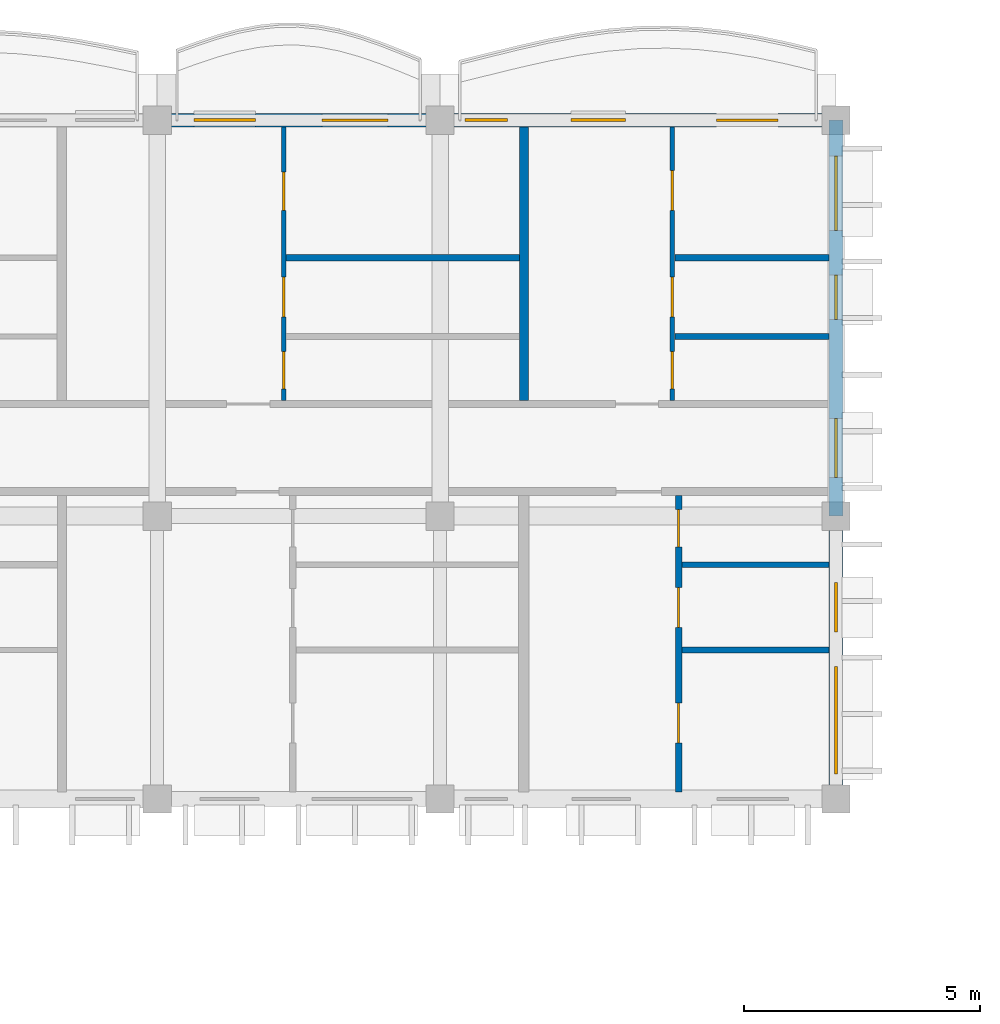
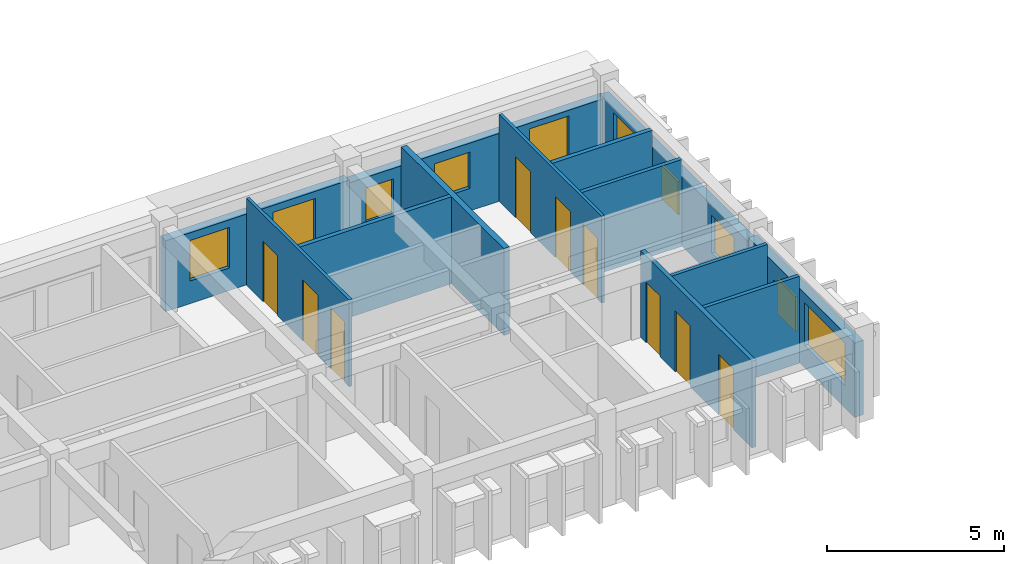
# One storey, part 21 of 59: 13 walls, 11 doors, 8 windows, 19 openings.
"""IFC4 building model written with IfcOpenShell, lengths in metres."""

from ifc_helpers import new_model, si_unit, direction, frame, frame_2d, origin, place, context, subcontext, project, spatial, rectangle, extrude, material, layer, layer_set, type_object, element, fill, save


model = new_model("IFC4")

# Units and contexts
model_context = context("Model", 3, precision=1e-05, world=origin(), true_north=direction((0.0, 1.0)))
body_context = subcontext(model_context, "Body", "Model", "MODEL_VIEW")
ifc_project = project(units=[si_unit("LENGTHUNIT", "METRE"), si_unit("AREAUNIT", "SQUARE_METRE"), si_unit("VOLUMEUNIT", "CUBIC_METRE"), si_unit("PLANEANGLEUNIT", "RADIAN"), si_unit("MASSUNIT", "GRAM", prefix="KILO"), si_unit("THERMODYNAMICTEMPERATUREUNIT", "KELVIN")], contexts=[model_context])

# Site, building, storey
site_placement = place(None, origin())
site = spatial("IfcSite", under=ifc_project, at=site_placement, CompositionType="ELEMENT")
building_placement = place(site_placement, origin())
building = spatial("IfcBuilding", under=site, at=building_placement, Name="Thalorik Housing Commons", CompositionType="ELEMENT")
storey_placement = place(building_placement, frame((0.0, 0.0, 27.89990234375)))
storey = spatial("IfcBuildingStorey", under=building, at=storey_placement, Name="L08", CompositionType="ELEMENT", Elevation=27.89990234375)

# Wall, openings, windows
ifc_material_1 = material(Name="White precast concrete C40/50", Category="concrete")
ifc_layer_1 = layer(ifc_material_1, 0.2900390625, Name="White precast concrete C40/50", Category="concrete")
ifc_layer_set_1 = layer_set([ifc_layer_1], Name="White precast concrete C40/50")
wall_type_1 = type_object("IfcWallType", Name="ARC-WAL-EXT-290", PredefinedType="STANDARD", material=ifc_layer_set_1)
wall_1_placement = place(storey_placement, frame((51.60009765625, 109.199951171875, 0.0), z_axis=(0.0, 0.0, 1.0), x_axis=(0.0, 1.0, 0.0)))
wall_1 = element("IfcWall", 1, at=wall_1_placement, inside=storey, type_object=wall_type_1, Name="L08 Exterior Wall WAL-EXT-L08-A-0217", PredefinedType="STANDARD", context=body_context, shape_type="SweptSolid", body=[
    extrude(rectangle(XDim=6.0, YDim=0.2900390625, at=frame_2d((3.0, 0.0))), origin(), (0.0, 0.0, 1.0), 2.5751953125),
])
opening_1_placement = place(wall_1_placement, frame((0.535400390625, 0.0, 0.780029296875)))
opening_1 = element("IfcOpeningElement", 2, at=opening_1_placement, cuts=wall_1, Name="Opening W-67", PredefinedType="OPENING", context=body_context, shape_type="SweptSolid", body=[
    extrude(rectangle(XDim=2.280029296875, YDim=1.4599609375, at=frame_2d((1.14013671875, 0.72998046875))), frame((0.0, 0.155029296875, 0.0), z_axis=(0.0, -1.0, 0.0), x_axis=(1.0, 0.0, 0.0)), (0.0, 0.0, 1.0), 0.31005859375),
])
opening_2_placement = place(wall_1_placement, frame((3.540283203125, 0.0, 0.780029296875)))
opening_2 = element("IfcOpeningElement", 3, at=opening_2_placement, cuts=wall_1, Name="Opening W-44", PredefinedType="OPENING", context=body_context, shape_type="SweptSolid", body=[
    extrude(rectangle(XDim=1.050048828125, YDim=1.199951171875, at=frame_2d((0.52490234375, 0.60009765625))), frame((0.0, 0.155029296875, 0.0), z_axis=(0.0, -1.0, 0.0), x_axis=(1.0, 0.0, 0.0)), (0.0, 0.0, 1.0), 0.31005859375),
])
ifc_material_2 = material(Name="Anodised aluminium and solar-control low-E glass", Category="aluminium")
window_type_1 = type_object("IfcWindowType", Name="ARC-WIN-44", PartitioningType="SINGLE_PANEL", PredefinedType="WINDOW", material=ifc_material_2)
window_1_placement = place(opening_2_placement, origin())
window_1 = element("IfcWindow", 4, at=window_1_placement, inside=storey, type_object=window_type_1, Name="L08 Facade Window 390", OverallHeight=1.199951171875, OverallWidth=1.050048828125, PartitioningType="SINGLE_PANEL", PredefinedType="WINDOW", context=body_context, shape_type="SweptSolid", body=[
    extrude(rectangle(XDim=1.050048828125, YDim=1.199951171875, at=frame_2d((0.52490234375, 0.60009765625))), frame((0.0, 0.030029296875, 0.0), z_axis=(0.0, -1.0, 0.0), x_axis=(1.0, 0.0, 0.0)), (0.0, 0.0, 1.0), 0.06005859375),
])
fill(opening_2, window_1)
window_type_2 = type_object("IfcWindowType", Name="ARC-WIN-67", PartitioningType="DOUBLE_PANEL_VERTICAL", PredefinedType="WINDOW", material=ifc_material_2)
window_2_placement = place(opening_1_placement, origin())
window_2 = element("IfcWindow", 5, at=window_2_placement, inside=storey, type_object=window_type_2, Name="L08 Facade Window 389", OverallHeight=1.4599609375, OverallWidth=2.280029296875, PartitioningType="DOUBLE_PANEL_VERTICAL", PredefinedType="WINDOW", context=body_context, shape_type="SweptSolid", body=[
    extrude(rectangle(XDim=2.280029296875, YDim=1.4599609375, at=frame_2d((1.14013671875, 0.72998046875))), frame((0.0, 0.030029296875, 0.0), z_axis=(0.0, -1.0, 0.0), x_axis=(1.0, 0.0, 0.0)), (0.0, 0.0, 1.0), 0.06005859375),
])
fill(opening_1, window_2)

wall_2_placement = place(storey_placement, frame((51.60009765625, 115.199951171875, 0.0), z_axis=(0.0, 0.0, 1.0), x_axis=(0.0, 1.0, 0.0)))
wall_2 = element("IfcWall", 6, at=wall_2_placement, inside=storey, type_object=wall_type_1, Name="L08 Exterior Wall WAL-EXT-L08-A-0218", PredefinedType="STANDARD", context=body_context, shape_type="SweptSolid", body=[
    extrude(rectangle(XDim=8.400146484375, YDim=0.2900390625, at=frame_2d((4.2001953125, 0.0))), origin(), (0.0, 0.0, 1.0), 2.425048828125),
])
opening_3_placement = place(wall_2_placement, frame((0.824951171875, 0.0, 0.780029296875)))
opening_3 = element("IfcOpeningElement", 7, at=opening_3_placement, cuts=wall_2, Name="Opening W-46", PredefinedType="OPENING", context=body_context, shape_type="SweptSolid", body=[
    extrude(rectangle(XDim=1.25, YDim=1.300048828125, at=frame_2d((0.625, 0.64990234375))), frame((0.0, 0.155029296875, 0.0), z_axis=(0.0, -1.0, 0.0), x_axis=(1.0, 0.0, 0.0)), (0.0, 0.0, 1.0), 0.31005859375),
])
opening_4_placement = place(wall_2_placement, frame((4.169921875, 0.0, 0.780029296875)))
opening_4 = element("IfcOpeningElement", 8, at=opening_4_placement, cuts=wall_2, Name="Opening W-43", PredefinedType="OPENING", context=body_context, shape_type="SweptSolid", body=[
    extrude(rectangle(XDim=0.949951171875, YDim=1.14990234375, at=frame_2d((0.47509765625, 0.574951171875))), frame((0.0, 0.155029296875, 0.0), z_axis=(0.0, -1.0, 0.0), x_axis=(1.0, 0.0, 0.0)), (0.0, 0.0, 1.0), 0.31005859375),
])
opening_5_placement = place(wall_2_placement, frame((6.0546875, 0.0, 0.780029296875)))
opening_5 = element("IfcOpeningElement", 9, at=opening_5_placement, cuts=wall_2, Name="Opening W-53", PredefinedType="OPENING", context=body_context, shape_type="SweptSolid", body=[
    extrude(rectangle(XDim=1.580078125, YDim=1.47998046875, at=frame_2d((0.7900390625, 0.739990234375))), frame((0.0, 0.155029296875, 0.0), z_axis=(0.0, -1.0, 0.0), x_axis=(1.0, 0.0, 0.0)), (0.0, 0.0, 1.0), 0.31005859375),
])
window_type_3 = type_object("IfcWindowType", Name="ARC-WIN-43", PartitioningType="SINGLE_PANEL", PredefinedType="WINDOW", material=ifc_material_2)
window_3_placement = place(opening_4_placement, origin())
window_3 = element("IfcWindow", 10, at=window_3_placement, inside=storey, type_object=window_type_3, Name="L08 Facade Window 392", OverallHeight=1.14990234375, OverallWidth=0.949951171875, PartitioningType="SINGLE_PANEL", PredefinedType="WINDOW", context=body_context, shape_type="SweptSolid", body=[
    extrude(rectangle(XDim=0.949951171875, YDim=1.14990234375, at=frame_2d((0.47509765625, 0.574951171875))), frame((0.0, 0.030029296875, 0.0), z_axis=(0.0, -1.0, 0.0), x_axis=(1.0, 0.0, 0.0)), (0.0, 0.0, 1.0), 0.06005859375),
])
fill(opening_4, window_3)
window_type_4 = type_object("IfcWindowType", Name="ARC-WIN-46", PartitioningType="SINGLE_PANEL", PredefinedType="WINDOW", material=ifc_material_2)
window_4_placement = place(opening_3_placement, origin())
window_4 = element("IfcWindow", 11, at=window_4_placement, inside=storey, type_object=window_type_4, Name="L08 Facade Window 391", OverallHeight=1.300048828125, OverallWidth=1.25, PartitioningType="SINGLE_PANEL", PredefinedType="WINDOW", context=body_context, shape_type="SweptSolid", body=[
    extrude(rectangle(XDim=1.25, YDim=1.300048828125, at=frame_2d((0.625, 0.64990234375))), frame((0.0, 0.030029296875, 0.0), z_axis=(0.0, -1.0, 0.0), x_axis=(1.0, 0.0, 0.0)), (0.0, 0.0, 1.0), 0.06005859375),
])
fill(opening_3, window_4)
window_type_5 = type_object("IfcWindowType", Name="ARC-WIN-53", PartitioningType="SINGLE_PANEL", PredefinedType="WINDOW", material=ifc_material_2)
window_5_placement = place(opening_5_placement, origin())
window_5 = element("IfcWindow", 12, at=window_5_placement, inside=storey, type_object=window_type_5, Name="L08 Facade Window 393", OverallHeight=1.47998046875, OverallWidth=1.580078125, PartitioningType="SINGLE_PANEL", PredefinedType="WINDOW", context=body_context, shape_type="SweptSolid", body=[
    extrude(rectangle(XDim=1.580078125, YDim=1.47998046875, at=frame_2d((0.7900390625, 0.739990234375))), frame((0.0, 0.030029296875, 0.0), z_axis=(0.0, -1.0, 0.0), x_axis=(1.0, 0.0, 0.0)), (0.0, 0.0, 1.0), 0.06005859375),
])
fill(opening_5, window_5)

# Wall, openings, door, windows
wall_3_placement = place(storey_placement, frame((51.60009765625, 123.60009765625, 0.0), z_axis=(0.0, 0.0, 1.0), x_axis=(-1.0, 0.0, 0.0)))
wall_3 = element("IfcWall", 13, at=wall_3_placement, inside=storey, type_object=wall_type_1, Name="L08 Exterior Wall WAL-EXT-L08-A-0219", PredefinedType="STANDARD", context=body_context, shape_type="SweptSolid", body=[
    extrude(rectangle(XDim=8.400146484375, YDim=0.2900390625, at=frame_2d((4.2001953125, 0.0))), origin(), (0.0, 0.0, 1.0), 2.34521484375),
])
opening_6_placement = place(wall_3_placement, frame((1.230712890625, 0.0, 0.0)))
opening_6 = element("IfcOpeningElement", 14, at=opening_6_placement, cuts=wall_3, Name="Opening ED-0068", PredefinedType="OPENING", context=body_context, shape_type="SweptSolid", body=[
    extrude(rectangle(XDim=1.300048828125, YDim=2.14990234375, at=frame_2d((0.64990234375, 1.074951171875))), frame((0.0, 0.155029296875, 0.0), z_axis=(0.0, -1.0, 0.0), x_axis=(1.0, 0.0, 0.0)), (0.0, 0.0, 1.0), 0.31005859375),
])
opening_7_placement = place(wall_3_placement, frame((4.470703125, 0.0, 0.780029296875)))
opening_7 = element("IfcOpeningElement", 15, at=opening_7_placement, cuts=wall_3, Name="Opening W-45", PredefinedType="OPENING", context=body_context, shape_type="SweptSolid", body=[
    extrude(rectangle(XDim=1.14990234375, YDim=1.25, at=frame_2d((0.574951171875, 0.625))), frame((0.0, 0.155029296875, 0.0), z_axis=(0.0, -1.0, 0.0), x_axis=(1.0, 0.0, 0.0)), (0.0, 0.0, 1.0), 0.31005859375),
])
opening_8_placement = place(wall_3_placement, frame((6.965087890625, 0.0, 0.780029296875)))
opening_8 = element("IfcOpeningElement", 16, at=opening_8_placement, cuts=wall_3, Name="Opening W-01", PredefinedType="OPENING", context=body_context, shape_type="SweptSolid", body=[
    extrude(rectangle(XDim=0.89990234375, YDim=1.199951171875, at=frame_2d((0.449951171875, 0.60009765625))), frame((0.0, 0.155029296875, 0.0), z_axis=(0.0, -1.0, 0.0), x_axis=(1.0, 0.0, 0.0)), (0.0, 0.0, 1.0), 0.31005859375),
])
ifc_material_3 = material(Name="Anodised aluminium and laminated safety glass", Category="aluminium")
door_type_1 = type_object("IfcDoorType", Name="ARC-DR-BAL-1300", OperationType="NOTDEFINED", PredefinedType="DOOR", material=ifc_material_3)
door_1_placement = place(opening_6_placement, frame((1.300048828125, 0.0, 0.0), z_axis=(0.0, 0.0, 1.0), x_axis=(-1.0, 0.0, 0.0)))
door_1 = element("IfcDoor", 17, at=door_1_placement, inside=storey, type_object=door_type_1, Name="L08 Block A Balcony Glazed Door", OperationType="SINGLE_SWING_LEFT", OverallHeight=2.14990234375, OverallWidth=1.300048828125, PredefinedType="DOOR", context=body_context, shape_type="SweptSolid", body=[
    extrude(rectangle(XDim=1.300048828125, YDim=2.14990234375, at=frame_2d((0.64990234375, 1.074951171875))), frame((0.0, 0.02490234375, 0.0), z_axis=(0.0, -1.0, 0.0), x_axis=(1.0, 0.0, 0.0)), (0.0, 0.0, 1.0), 0.050048828125),
])
fill(opening_6, door_1)
window_type_6 = type_object("IfcWindowType", Name="ARC-WIN-01", PartitioningType="SINGLE_PANEL", PredefinedType="WINDOW", material=ifc_material_2)
window_6_placement = place(opening_8_placement, origin())
window_6 = element("IfcWindow", 18, at=window_6_placement, inside=storey, type_object=window_type_6, Name="L08 Facade Window 395", OverallHeight=1.199951171875, OverallWidth=0.89990234375, PartitioningType="SINGLE_PANEL", PredefinedType="WINDOW", context=body_context, shape_type="SweptSolid", body=[
    extrude(rectangle(XDim=0.89990234375, YDim=1.199951171875, at=frame_2d((0.449951171875, 0.60009765625))), frame((0.0, 0.030029296875, 0.0), z_axis=(0.0, -1.0, 0.0), x_axis=(1.0, 0.0, 0.0)), (0.0, 0.0, 1.0), 0.06005859375),
])
fill(opening_8, window_6)
window_type_7 = type_object("IfcWindowType", Name="ARC-WIN-45", PartitioningType="SINGLE_PANEL", PredefinedType="WINDOW", material=ifc_material_2)
window_7_placement = place(opening_7_placement, origin())
window_7 = element("IfcWindow", 19, at=window_7_placement, inside=storey, type_object=window_type_7, Name="L08 Facade Window 394", OverallHeight=1.25, OverallWidth=1.14990234375, PartitioningType="SINGLE_PANEL", PredefinedType="WINDOW", context=body_context, shape_type="SweptSolid", body=[
    extrude(rectangle(XDim=1.14990234375, YDim=1.25, at=frame_2d((0.574951171875, 0.625))), frame((0.0, 0.030029296875, 0.0), z_axis=(0.0, -1.0, 0.0), x_axis=(1.0, 0.0, 0.0)), (0.0, 0.0, 1.0), 0.06005859375),
])
fill(opening_7, window_7)

# Wall, openings, door, window
wall_4_placement = place(storey_placement, frame((43.199951171875, 123.60009765625, 0.0), z_axis=(0.0, 0.0, 1.0), x_axis=(-1.0, 0.0, 0.0)))
wall_4 = element("IfcWall", 20, at=wall_4_placement, inside=storey, type_object=wall_type_1, Name="L08 Exterior Wall WAL-EXT-L08-A-0220", PredefinedType="STANDARD", context=body_context, shape_type="SweptSolid", body=[
    extrude(rectangle(XDim=6.0, YDim=0.2900390625, at=frame_2d((3.0, 0.0))), origin(), (0.0, 0.0, 1.0), 2.445068359375),
])
opening_9_placement = place(wall_4_placement, frame((1.10302734375, 0.0, 0.0)))
opening_9 = element("IfcOpeningElement", 21, at=opening_9_placement, cuts=wall_4, Name="Opening ED-0069", PredefinedType="OPENING", context=body_context, shape_type="SweptSolid", body=[
    extrude(rectangle(XDim=1.39990234375, YDim=2.199951171875, at=frame_2d((0.699951171875, 1.10009765625))), frame((0.0, 0.155029296875, 0.0), z_axis=(0.0, -1.0, 0.0), x_axis=(1.0, 0.0, 0.0)), (0.0, 0.0, 1.0), 0.31005859375),
])
opening_10_placement = place(wall_4_placement, frame((3.9130859375, 0.0, 0.780029296875)))
opening_10 = element("IfcOpeningElement", 22, at=opening_10_placement, cuts=wall_4, Name="Opening W-06", PredefinedType="OPENING", context=body_context, shape_type="SweptSolid", body=[
    extrude(rectangle(XDim=1.300048828125, YDim=1.39990234375, at=frame_2d((0.64990234375, 0.699951171875))), frame((0.0, 0.155029296875, 0.0), z_axis=(0.0, -1.0, 0.0), x_axis=(1.0, 0.0, 0.0)), (0.0, 0.0, 1.0), 0.31005859375),
])
door_type_2 = type_object("IfcDoorType", Name="ARC-DR-BAL-1400", OperationType="NOTDEFINED", PredefinedType="DOOR", material=ifc_material_3)
door_2_placement = place(opening_9_placement, frame((1.39990234375, 0.0, 0.0), z_axis=(0.0, 0.0, 1.0), x_axis=(-1.0, 0.0, 0.0)))
door_2 = element("IfcDoor", 23, at=door_2_placement, inside=storey, type_object=door_type_2, Name="L08 Block A Balcony Glazed Door", OperationType="SLIDING_TO_LEFT", OverallHeight=2.199951171875, OverallWidth=1.39990234375, PredefinedType="DOOR", context=body_context, shape_type="SweptSolid", body=[
    extrude(rectangle(XDim=1.39990234375, YDim=2.199951171875, at=frame_2d((0.699951171875, 1.10009765625))), frame((0.0, 0.02490234375, 0.0), z_axis=(0.0, -1.0, 0.0), x_axis=(1.0, 0.0, 0.0)), (0.0, 0.0, 1.0), 0.050048828125),
])
fill(opening_9, door_2)
window_type_8 = type_object("IfcWindowType", Name="ARC-WIN-06", PartitioningType="SINGLE_PANEL", PredefinedType="WINDOW", material=ifc_material_2)
window_8_placement = place(opening_10_placement, origin())
window_8 = element("IfcWindow", 24, at=window_8_placement, inside=storey, type_object=window_type_8, Name="L08 Facade Window 396", OverallHeight=1.39990234375, OverallWidth=1.300048828125, PartitioningType="SINGLE_PANEL", PredefinedType="WINDOW", context=body_context, shape_type="SweptSolid", body=[
    extrude(rectangle(XDim=1.300048828125, YDim=1.39990234375, at=frame_2d((0.64990234375, 0.699951171875))), frame((0.0, 0.030029296875, 0.0), z_axis=(0.0, -1.0, 0.0), x_axis=(1.0, 0.0, 0.0)), (0.0, 0.0, 1.0), 0.06005859375),
])
fill(opening_10, window_8)

# Wall, openings, doors
ifc_material_4 = material(Name="Gypsum light stud partition", Category="masonry")
ifc_layer_2 = layer(ifc_material_4, 0.10009765625, Name="Gypsum light stud partition", Category="masonry")
ifc_layer_set_2 = layer_set([ifc_layer_2], Name="Gypsum light stud partition")
wall_type_2 = type_object("IfcWallType", Name="ARC-WAL-PART-100", PredefinedType="PARTITIONING", material=ifc_layer_set_2)
wall_5_placement = place(storey_placement, frame((39.884033203125, 117.656982421875, 0.0), z_axis=(0.0, 0.0, 1.0), x_axis=(0.0, 1.0, 0.0)))
wall_5 = element("IfcWall", 25, at=wall_5_placement, inside=storey, type_object=wall_type_2, Name="L08 Unit 2B Spine Partition", PredefinedType="PARTITIONING", context=body_context, shape_type="SweptSolid", body=[
    extrude(rectangle(XDim=5.7958984375, YDim=0.10009765625, at=frame_2d((2.89794921875, 0.0))), origin(), (0.0, 0.0, 1.0), 3.0),
])
opening_11_placement = place(wall_5_placement, frame((0.23828125, 0.0, 0.0)))
opening_11 = element("IfcOpeningElement", 26, at=opening_11_placement, cuts=wall_5, Name="Opening ID-0734", PredefinedType="OPENING", context=body_context, shape_type="SweptSolid", body=[
    extrude(rectangle(XDim=0.800048828125, YDim=2.10009765625, at=frame_2d((0.39990234375, 1.050048828125))), frame((0.0, 0.06005859375, 0.0), z_axis=(0.0, -1.0, 0.0), x_axis=(1.0, 0.0, 0.0)), (0.0, 0.0, 1.0), 0.1201171875),
])
opening_12_placement = place(wall_5_placement, frame((1.7626953125, 0.0, 0.0)))
opening_12 = element("IfcOpeningElement", 27, at=opening_12_placement, cuts=wall_5, Name="Opening ID-0735", PredefinedType="OPENING", context=body_context, shape_type="SweptSolid", body=[
    extrude(rectangle(XDim=0.85009765625, YDim=2.10009765625, at=frame_2d((0.425048828125, 1.050048828125))), frame((0.0, 0.06005859375, 0.0), z_axis=(0.0, -1.0, 0.0), x_axis=(1.0, 0.0, 0.0)), (0.0, 0.0, 1.0), 0.1201171875),
])
opening_13_placement = place(wall_5_placement, frame((4.027587890625, 0.0, 0.0)))
opening_13 = element("IfcOpeningElement", 28, at=opening_13_placement, cuts=wall_5, Name="Opening ID-0736", PredefinedType="OPENING", context=body_context, shape_type="SweptSolid", body=[
    extrude(rectangle(XDim=0.820068359375, YDim=2.080078125, at=frame_2d((0.41015625, 1.0400390625))), frame((0.0, 0.06005859375, 0.0), z_axis=(0.0, -1.0, 0.0), x_axis=(1.0, 0.0, 0.0)), (0.0, 0.0, 1.0), 0.1201171875),
])
ifc_material_5 = material(Name="Moisture-resistant timber", Category="wood")
door_type_3 = type_object("IfcDoorType", Name="ARC-DR-INT-800", OperationType="NOTDEFINED", PredefinedType="DOOR", material=ifc_material_5)
door_3_placement = place(opening_11_placement, origin())
door_3 = element("IfcDoor", 29, at=door_3_placement, inside=storey, type_object=door_type_3, Name="L08 Accessible Bathroom Door", OperationType="SINGLE_SWING_LEFT", OverallHeight=2.10009765625, OverallWidth=0.800048828125, PredefinedType="DOOR", context=body_context, shape_type="SweptSolid", body=[
    extrude(rectangle(XDim=0.800048828125, YDim=2.10009765625, at=frame_2d((0.39990234375, 1.050048828125))), frame((0.0, 0.02490234375, 0.0), z_axis=(0.0, -1.0, 0.0), x_axis=(1.0, 0.0, 0.0)), (0.0, 0.0, 1.0), 0.050048828125),
])
fill(opening_11, door_3)
ifc_material_6 = material(Name="Engineered oak timber", Category="wood")
door_type_4 = type_object("IfcDoorType", Name="ARC-DR-INT-820", OperationType="NOTDEFINED", PredefinedType="DOOR", material=ifc_material_6)
door_4_placement = place(opening_13_placement, origin())
door_4 = element("IfcDoor", 30, at=door_4_placement, inside=storey, type_object=door_type_4, Name="L08 Double Bedroom Door", OperationType="SINGLE_SWING_LEFT", OverallHeight=2.080078125, OverallWidth=0.820068359375, PredefinedType="DOOR", context=body_context, shape_type="SweptSolid", body=[
    extrude(rectangle(XDim=0.820068359375, YDim=2.080078125, at=frame_2d((0.41015625, 1.0400390625))), frame((0.0, 0.02490234375, 0.0), z_axis=(0.0, -1.0, 0.0), x_axis=(1.0, 0.0, 0.0)), (0.0, 0.0, 1.0), 0.050048828125),
])
fill(opening_13, door_4)
door_type_5 = type_object("IfcDoorType", Name="ARC-DR-INT-850", OperationType="NOTDEFINED", PredefinedType="DOOR", material=ifc_material_6)
door_5_placement = place(opening_12_placement, origin())
door_5 = element("IfcDoor", 31, at=door_5_placement, inside=storey, type_object=door_type_5, Name="L08 Galley Kitchen Door", OperationType="SINGLE_SWING_RIGHT", OverallHeight=2.10009765625, OverallWidth=0.85009765625, PredefinedType="DOOR", context=body_context, shape_type="SweptSolid", body=[
    extrude(rectangle(XDim=0.85009765625, YDim=2.10009765625, at=frame_2d((0.425048828125, 1.050048828125))), frame((0.0, 0.02490234375, 0.0), z_axis=(0.0, -1.0, 0.0), x_axis=(1.0, 0.0, 0.0)), (0.0, 0.0, 1.0), 0.050048828125),
])
fill(opening_12, door_5)

wall_6_placement = place(storey_placement, frame((48.12890625, 117.656982421875, 0.0), z_axis=(0.0, 0.0, 1.0), x_axis=(0.0, 1.0, 0.0)))
wall_6 = element("IfcWall", 32, at=wall_6_placement, inside=storey, type_object=wall_type_2, Name="L08 Unit 3B Spine Partition", PredefinedType="PARTITIONING", context=body_context, shape_type="SweptSolid", body=[
    extrude(rectangle(XDim=5.7958984375, YDim=0.10009765625, at=frame_2d((2.89794921875, 0.0))), origin(), (0.0, 0.0, 1.0), 3.0),
])
opening_14_placement = place(wall_6_placement, frame((0.23828125, 0.0, 0.0)))
opening_14 = element("IfcOpeningElement", 33, at=opening_14_placement, cuts=wall_6, Name="Opening ID-0740", PredefinedType="OPENING", context=body_context, shape_type="SweptSolid", body=[
    extrude(rectangle(XDim=0.800048828125, YDim=2.10009765625, at=frame_2d((0.39990234375, 1.050048828125))), frame((0.0, 0.06005859375, 0.0), z_axis=(0.0, -1.0, 0.0), x_axis=(1.0, 0.0, 0.0)), (0.0, 0.0, 1.0), 0.1201171875),
])
opening_15_placement = place(wall_6_placement, frame((1.7626953125, 0.0, 0.0)))
opening_15 = element("IfcOpeningElement", 34, at=opening_15_placement, cuts=wall_6, Name="Opening ID-0741", PredefinedType="OPENING", context=body_context, shape_type="SweptSolid", body=[
    extrude(rectangle(XDim=0.85009765625, YDim=2.10009765625, at=frame_2d((0.425048828125, 1.050048828125))), frame((0.0, 0.06005859375, 0.0), z_axis=(0.0, -1.0, 0.0), x_axis=(1.0, 0.0, 0.0)), (0.0, 0.0, 1.0), 0.1201171875),
])
opening_16_placement = place(wall_6_placement, frame((4.027587890625, 0.0, 0.0)))
opening_16 = element("IfcOpeningElement", 35, at=opening_16_placement, cuts=wall_6, Name="Opening ID-0742", PredefinedType="OPENING", context=body_context, shape_type="SweptSolid", body=[
    extrude(rectangle(XDim=0.85009765625, YDim=2.10009765625, at=frame_2d((0.425048828125, 1.050048828125))), frame((0.0, 0.06005859375, 0.0), z_axis=(0.0, -1.0, 0.0), x_axis=(1.0, 0.0, 0.0)), (0.0, 0.0, 1.0), 0.1201171875),
])
door_6_placement = place(opening_14_placement, origin())
door_6 = element("IfcDoor", 36, at=door_6_placement, inside=storey, type_object=door_type_3, Name="L08 Flat Bathroom Door", OperationType="SINGLE_SWING_LEFT", OverallHeight=2.10009765625, OverallWidth=0.800048828125, PredefinedType="DOOR", context=body_context, shape_type="SweptSolid", body=[
    extrude(rectangle(XDim=0.800048828125, YDim=2.10009765625, at=frame_2d((0.39990234375, 1.050048828125))), frame((0.0, 0.02490234375, 0.0), z_axis=(0.0, -1.0, 0.0), x_axis=(1.0, 0.0, 0.0)), (0.0, 0.0, 1.0), 0.050048828125),
])
fill(opening_14, door_6)
door_7_placement = place(opening_15_placement, origin())
door_7 = element("IfcDoor", 37, at=door_7_placement, inside=storey, type_object=door_type_5, Name="L08 Eat-In Kitchen Door", OperationType="SINGLE_SWING_RIGHT", OverallHeight=2.10009765625, OverallWidth=0.85009765625, PredefinedType="DOOR", context=body_context, shape_type="SweptSolid", body=[
    extrude(rectangle(XDim=0.85009765625, YDim=2.10009765625, at=frame_2d((0.425048828125, 1.050048828125))), frame((0.0, 0.02490234375, 0.0), z_axis=(0.0, -1.0, 0.0), x_axis=(1.0, 0.0, 0.0)), (0.0, 0.0, 1.0), 0.050048828125),
])
fill(opening_15, door_7)
door_8_placement = place(opening_16_placement, origin())
door_8 = element("IfcDoor", 38, at=door_8_placement, inside=storey, type_object=door_type_5, Name="L08 Master Bedroom Door", OperationType="SINGLE_SWING_LEFT", OverallHeight=2.10009765625, OverallWidth=0.85009765625, PredefinedType="DOOR", context=body_context, shape_type="SweptSolid", body=[
    extrude(rectangle(XDim=0.85009765625, YDim=2.10009765625, at=frame_2d((0.425048828125, 1.050048828125))), frame((0.0, 0.02490234375, 0.0), z_axis=(0.0, -1.0, 0.0), x_axis=(1.0, 0.0, 0.0)), (0.0, 0.0, 1.0), 0.050048828125),
])
fill(opening_16, door_8)

# Walls
ifc_material_7 = material(Name="Gypsum moisture-resistant partition", Category="masonry")
ifc_layer_3 = layer(ifc_material_7, 0.114990234375, Name="Gypsum moisture-resistant partition", Category="masonry")
ifc_layer_set_3 = layer_set([ifc_layer_3], Name="Gypsum moisture-resistant partition")
wall_type_3 = type_object("IfcWallType", Name="ARC-WAL-PART-115", PredefinedType="PARTITIONING", material=ifc_layer_set_3)
wall_7_placement = place(storey_placement, frame((48.33203125, 114.169677734375, 0.0), z_axis=(0.0, 0.0, 1.0), x_axis=(1.0, 0.0, 0.0)))
element("IfcWall", 39, at=wall_7_placement, inside=storey, type_object=wall_type_3, Name="L08 Unit 3 Wet Wall", PredefinedType="PARTITIONING", context=body_context, shape_type="SweptSolid", body=[
    extrude(rectangle(XDim=3.120849609375, YDim=0.114990234375, at=frame_2d((1.560546875, 0.0))), origin(), (0.0, 0.0, 1.0), 3.0),
])
ifc_material_8 = material(Name="Gypsum acoustic stud partition", Category="masonry")
ifc_layer_4 = layer(ifc_material_8, 0.125, Name="Gypsum acoustic stud partition", Category="masonry")
ifc_layer_set_4 = layer_set([ifc_layer_4], Name="Gypsum acoustic stud partition")
wall_type_4 = type_object("IfcWallType", Name="ARC-WAL-PART-125", PredefinedType="PARTITIONING", material=ifc_layer_set_4)
wall_8_placement = place(storey_placement, frame((48.33203125, 112.36083984375, 0.0), z_axis=(0.0, 0.0, 1.0), x_axis=(1.0, 0.0, 0.0)))
element("IfcWall", 40, at=wall_8_placement, inside=storey, type_object=wall_type_4, Name="L08 Unit 3 Bedroom Partition", PredefinedType="PARTITIONING", context=body_context, shape_type="SweptSolid", body=[
    extrude(rectangle(XDim=3.120849609375, YDim=0.125, at=frame_2d((1.560546875, 0.0))), origin(), (0.0, 0.0, 1.0), 3.0),
])
wall_9_placement = place(storey_placement, frame((48.180908203125, 119.010498046875, 0.0), z_axis=(0.0, 0.0, 1.0), x_axis=(1.0, 0.0, 0.0)))
element("IfcWall", 41, at=wall_9_placement, inside=storey, type_object=wall_type_4, Name="L08 Unit 3B Wet Wall", PredefinedType="PARTITIONING", context=body_context, shape_type="SweptSolid", body=[
    extrude(rectangle(XDim=3.27197265625, YDim=0.125, at=frame_2d((1.635986328125, 0.0))), origin(), (0.0, 0.0, 1.0), 3.0),
])
ifc_material_9 = material(Name="Ceramic masonry partition wall", Category="masonry")
ifc_layer_5 = layer(ifc_material_9, 0.139892578125, Name="Ceramic masonry partition wall", Category="masonry")
ifc_layer_set_5 = layer_set([ifc_layer_5], Name="Ceramic masonry partition wall")
wall_type_5 = type_object("IfcWallType", Name="ARC-WAL-PART-140", PredefinedType="PARTITIONING", material=ifc_layer_set_5)
wall_10_placement = place(storey_placement, frame((39.93603515625, 120.67919921875, 0.0), z_axis=(0.0, 0.0, 1.0), x_axis=(1.0, 0.0, 0.0)))
element("IfcWall", 42, at=wall_10_placement, inside=storey, type_object=wall_type_5, Name="L08 Unit 2B Bedroom Partition", PredefinedType="PARTITIONING", context=body_context, shape_type="SweptSolid", body=[
    extrude(rectangle(XDim=4.949462890625, YDim=0.139892578125, at=frame_2d((2.474609375, 0.0))), origin(), (0.0, 0.0, 1.0), 3.0),
])

# Wall, openings, doors
wall_11_placement = place(storey_placement, frame((48.260009765625, 109.346923828125, 0.0), z_axis=(0.0, 0.0, 1.0), x_axis=(0.0, 1.0, 0.0)))
wall_11 = element("IfcWall", 43, at=wall_11_placement, inside=storey, type_object=wall_type_5, Name="L08 Unit 3 Spine Partition", PredefinedType="PARTITIONING", context=body_context, shape_type="SweptSolid", body=[
    extrude(rectangle(XDim=6.28857421875, YDim=0.139892578125, at=frame_2d((3.144287109375, 0.0))), origin(), (0.0, 0.0, 1.0), 3.0),
])
opening_17_placement = place(wall_11_placement, frame((1.038330078125, 0.0, 0.0)))
opening_17 = element("IfcOpeningElement", 44, at=opening_17_placement, cuts=wall_11, Name="Opening ID-0737", PredefinedType="OPENING", context=body_context, shape_type="SweptSolid", body=[
    extrude(rectangle(XDim=0.85009765625, YDim=2.10009765625, at=frame_2d((0.425048828125, 1.050048828125))), frame((0.0, 0.080078125, 0.0), z_axis=(0.0, -1.0, 0.0), x_axis=(1.0, 0.0, 0.0)), (0.0, 0.0, 1.0), 0.159912109375),
])
opening_18_placement = place(wall_11_placement, frame((3.4931640625, 0.0, 0.0)))
opening_18 = element("IfcOpeningElement", 45, at=opening_18_placement, cuts=wall_11, Name="Opening ID-0738", PredefinedType="OPENING", context=body_context, shape_type="SweptSolid", body=[
    extrude(rectangle(XDim=0.85009765625, YDim=2.10009765625, at=frame_2d((0.425048828125, 1.050048828125))), frame((0.0, 0.080078125, 0.0), z_axis=(0.0, -1.0, 0.0), x_axis=(1.0, 0.0, 0.0)), (0.0, 0.0, 1.0), 0.159912109375),
])
opening_19_placement = place(wall_11_placement, frame((5.19775390625, 0.0, 0.0)))
opening_19 = element("IfcOpeningElement", 46, at=opening_19_placement, cuts=wall_11, Name="Opening ID-0739", PredefinedType="OPENING", context=body_context, shape_type="SweptSolid", body=[
    extrude(rectangle(XDim=0.800048828125, YDim=2.10009765625, at=frame_2d((0.39990234375, 1.050048828125))), frame((0.0, 0.080078125, 0.0), z_axis=(0.0, -1.0, 0.0), x_axis=(1.0, 0.0, 0.0)), (0.0, 0.0, 1.0), 0.159912109375),
])
door_9_placement = place(opening_19_placement, origin())
door_9 = element("IfcDoor", 47, at=door_9_placement, inside=storey, type_object=door_type_3, Name="L08 Flat Bathroom Door", OperationType="SINGLE_SWING_RIGHT", OverallHeight=2.10009765625, OverallWidth=0.800048828125, PredefinedType="DOOR", context=body_context, shape_type="SweptSolid", body=[
    extrude(rectangle(XDim=0.800048828125, YDim=2.10009765625, at=frame_2d((0.39990234375, 1.050048828125))), frame((0.0, 0.02490234375, 0.0), z_axis=(0.0, -1.0, 0.0), x_axis=(1.0, 0.0, 0.0)), (0.0, 0.0, 1.0), 0.050048828125),
])
fill(opening_19, door_9)
door_10_placement = place(opening_17_placement, origin())
door_10 = element("IfcDoor", 48, at=door_10_placement, inside=storey, type_object=door_type_5, Name="L08 Double Bedroom Door", OperationType="SINGLE_SWING_RIGHT", OverallHeight=2.10009765625, OverallWidth=0.85009765625, PredefinedType="DOOR", context=body_context, shape_type="SweptSolid", body=[
    extrude(rectangle(XDim=0.85009765625, YDim=2.10009765625, at=frame_2d((0.425048828125, 1.050048828125))), frame((0.0, 0.02490234375, 0.0), z_axis=(0.0, -1.0, 0.0), x_axis=(1.0, 0.0, 0.0)), (0.0, 0.0, 1.0), 0.050048828125),
])
fill(opening_17, door_10)
door_11_placement = place(opening_18_placement, origin())
door_11 = element("IfcDoor", 49, at=door_11_placement, inside=storey, type_object=door_type_5, Name="L08 Galley Kitchen Door", OperationType="SINGLE_SWING_LEFT", OverallHeight=2.10009765625, OverallWidth=0.85009765625, PredefinedType="DOOR", context=body_context, shape_type="SweptSolid", body=[
    extrude(rectangle(XDim=0.85009765625, YDim=2.10009765625, at=frame_2d((0.425048828125, 1.050048828125))), frame((0.0, 0.02490234375, 0.0), z_axis=(0.0, -1.0, 0.0), x_axis=(1.0, 0.0, 0.0)), (0.0, 0.0, 1.0), 0.050048828125),
])
fill(opening_18, door_11)

# Walls
wall_12_placement = place(storey_placement, frame((48.180908203125, 120.67919921875, 0.0), z_axis=(0.0, 0.0, 1.0), x_axis=(1.0, 0.0, 0.0)))
element("IfcWall", 50, at=wall_12_placement, inside=storey, type_object=wall_type_5, Name="L08 Unit 3B Bedroom Partition", PredefinedType="PARTITIONING", context=body_context, shape_type="SweptSolid", body=[
    extrude(rectangle(XDim=3.27197265625, YDim=0.139892578125, at=frame_2d((1.635986328125, 0.0))), origin(), (0.0, 0.0, 1.0), 3.0),
])
ifc_material_10 = material(Name="Masonry acoustic blockwork wall", Category="masonry")
ifc_layer_6 = layer(ifc_material_10, 0.18505859375, Name="Masonry acoustic blockwork wall", Category="masonry")
ifc_layer_set_6 = layer_set([ifc_layer_6], Name="Masonry acoustic blockwork wall")
wall_type_6 = type_object("IfcWallType", Name="ARC-WAL-PARTY-185", PredefinedType="PARTITIONING", material=ifc_layer_set_6)
wall_13_placement = place(storey_placement, frame((44.97998046875, 117.656982421875, 0.0), z_axis=(0.0, 0.0, 1.0), x_axis=(0.0, 1.0, 0.0)))
element("IfcWall", 51, at=wall_13_placement, inside=storey, type_object=wall_type_6, Name="L08 Inter-Tenancy Wall 2B", PredefinedType="PARTITIONING", context=body_context, shape_type="SweptSolid", body=[
    extrude(rectangle(XDim=5.7958984375, YDim=0.18505859375, at=frame_2d((2.89794921875, 0.0))), origin(), (0.0, 0.0, 1.0), 3.0),
])

save(model, "model.ifc")
